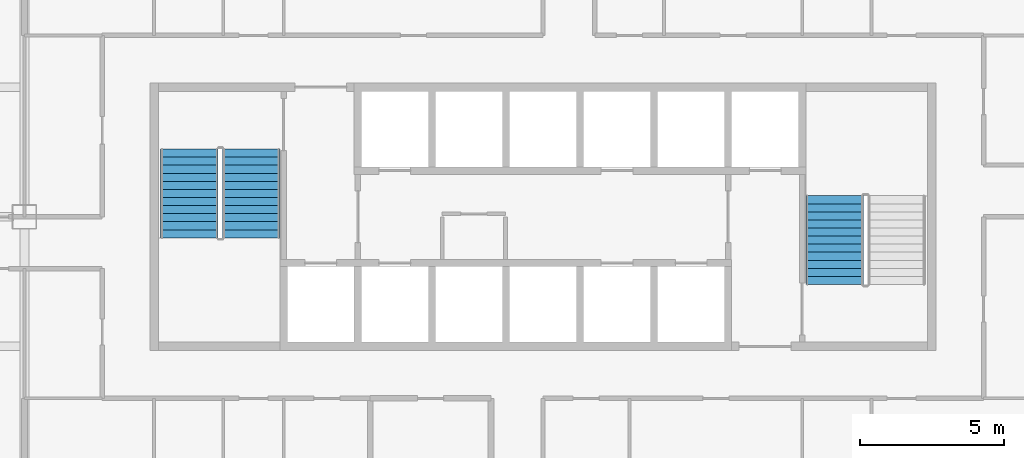
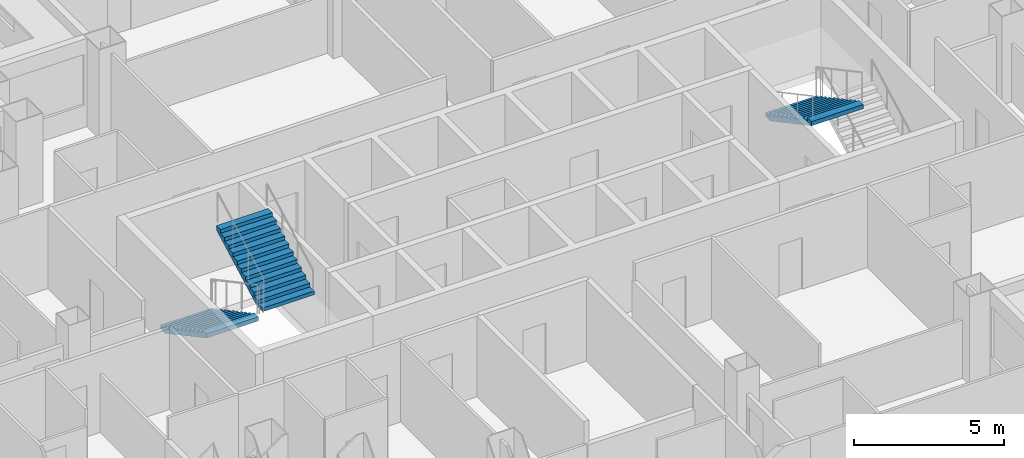
# One storey, part 10 of 14: 3 stair flights, 2 elements without a shape of their own.
"""IFC4 building model written with IfcOpenShell, lengths in metres."""

import ifcopenshell
import ifcopenshell.guid

model = None  # the IFC model being written
_history = None  # IfcOwnerHistory: only IFC2X3 demands one
_inside = {}  # id of a spatial element -> (the spatial element, [elements in it])
_under = {}  # id of a project, library or spatial element -> (it, [spatial elements below it])
_declared = {}  # id of a project -> (the project, [libraries it declares])
_typed = {}  # id of a type object -> (the type object, [elements of that type])
_made_of = {}  # id of a material, layer set ... -> (it, [elements and type objects made of it])


def new_model(schema):
    """Start an empty IFC model of exactly this schema.

    Asked for "IFC4X3", IfcOpenShell would pick the latest addendum, in which some entities
    have other attributes; the version numbers below select the first issue.
    IFC2X3 requires an IfcOwnerHistory on every rooted entity: one is made here for all.
    """
    global model, _history
    if schema == "IFC4X3":
        model = ifcopenshell.file(schema_version=(4, 3, 0, 0))
    else:
        model = ifcopenshell.file(schema=schema)
    _inside.clear()
    _under.clear()
    _declared.clear()
    _typed.clear()
    _made_of.clear()
    _history = None
    if model.schema == "IFC2X3":
        org = make("IfcOrganization", Name="unknown")
        user = make(
            "IfcPersonAndOrganization",
            ThePerson=make("IfcPerson", FamilyName="unknown"),
            TheOrganization=org,
        )
        app = make(
            "IfcApplication",
            ApplicationDeveloper=org,
            Version="unknown",
            ApplicationFullName="unknown",
            ApplicationIdentifier="unknown",
        )
        _history = make(
            "IfcOwnerHistory",
            OwningUser=user,
            OwningApplication=app,
            ChangeAction="ADDED",
            CreationDate=0,
        )
    return model


def make(cls, **values):
    """One entity of the class cls with the attributes given. An attribute that is None is left unset."""
    return model.create_entity(
        cls, **{name: value for name, value in values.items() if value is not None}
    )


def rooted(cls, **values):
    """An entity with a GlobalId (a new one), such as an element, a storey or a relation."""
    return make(cls, GlobalId=ifcopenshell.guid.new(), OwnerHistory=_history, **values)


def si_unit(unit_type, name, prefix=None):
    """IfcSIUnit, for example si_unit("LENGTHUNIT", "METRE", prefix="MILLI")."""
    return make("IfcSIUnit", UnitType=unit_type, Prefix=prefix, Name=name)


def assignment(units):
    """IfcUnitAssignment: the units of a project."""
    return None if units is None else make("IfcUnitAssignment", Units=units)


def point(xyz):
    """IfcCartesianPoint."""
    return None if xyz is None else make("IfcCartesianPoint", Coordinates=xyz)


def direction(xyz):
    """IfcDirection."""
    return None if xyz is None else make("IfcDirection", DirectionRatios=xyz)


def frame(location, z_axis=None, x_axis=None):
    """IfcAxis2Placement3D, a coordinate frame: its origin and axes. An axis left out is left unset."""
    return make(
        "IfcAxis2Placement3D",
        Location=point(location),
        Axis=direction(z_axis),
        RefDirection=direction(x_axis),
    )


def origin():
    """The frame at (0, 0, 0) with its axes left unset."""
    return frame((0.0, 0.0, 0.0))


def place(relative_to, where):
    """IfcLocalPlacement: puts the frame where relative to a parent placement (None: the world)."""
    return make(
        "IfcLocalPlacement", PlacementRelTo=relative_to, RelativePlacement=where
    )


def context(
    kind, dimensions, precision=None, world=None, true_north=None, identifier=None
):
    """IfcGeometricRepresentationContext, for example the 3D "Model" context."""
    return make(
        "IfcGeometricRepresentationContext",
        ContextIdentifier=identifier,
        ContextType=kind,
        CoordinateSpaceDimension=dimensions,
        Precision=precision,
        WorldCoordinateSystem=world,
        TrueNorth=true_north,
    )


def subcontext(parent, identifier, kind, view, scale=None):
    """IfcGeometricRepresentationSubContext, for example "Body" below "Model"."""
    return make(
        "IfcGeometricRepresentationSubContext",
        ContextIdentifier=identifier,
        ContextType=kind,
        ParentContext=parent,
        TargetScale=scale,
        TargetView=view,
    )


def project(units=None, contexts=None):
    """IfcProject with its units and contexts."""
    return rooted(
        "IfcProject",
        Name="project",
        RepresentationContexts=contexts,
        UnitsInContext=assignment(units),
    )


def spatial(cls, under=None, at=None, **own):
    """A site, building, storey or space (cls), placed at a placement, below another one or the project."""
    s = rooted(cls, ObjectPlacement=at, **own)
    if under is not None:
        _under.setdefault(under.id(), (under, []))[1].append(s)
    return s


def point_list(points):
    """IfcCartesianPointList2D or 3D."""
    cls = (
        "IfcCartesianPointList2D" if len(points[0]) == 2 else "IfcCartesianPointList3D"
    )
    return make(cls, CoordList=points)


def polygons(points, faces, closed=None, point_numbers=None):
    """IfcPolygonalFaceSet: a face is its outer loop, then its inner loops; points numbered from 1."""
    made = []
    for loops in faces:
        if len(loops) == 1:
            made.append(make("IfcIndexedPolygonalFace", CoordIndex=loops[0]))
        else:
            made.append(
                make(
                    "IfcIndexedPolygonalFaceWithVoids",
                    CoordIndex=loops[0],
                    InnerCoordIndices=loops[1:],
                )
            )
    return make(
        "IfcPolygonalFaceSet",
        Coordinates=point_list(points),
        Closed=closed,
        Faces=made,
        PnIndex=point_numbers,
    )


def shape(context_of_items, identifier, shape_type, items):
    """IfcShapeRepresentation: the items that make up one representation, for example the "Body"."""
    return make(
        "IfcShapeRepresentation",
        ContextOfItems=context_of_items,
        RepresentationIdentifier=identifier,
        RepresentationType=shape_type,
        Items=items,
    )


def material(Name=None, Category=None):
    """IfcMaterial."""
    return make("IfcMaterial", Name=Name, Category=Category)


def made_of(thing, what):
    """Note that an element or type object is made of a material, layer set ...; save() writes the relation."""
    if what is not None:
        _made_of.setdefault(what.id(), (what, []))[1].append(thing)
    return thing


def type_object(cls, material=None, **own):
    """A type object (cls), such as IfcWallType, which elements share."""
    return made_of(rooted(cls, **own), material)


def element(
    cls,
    number,
    at=None,
    inside=None,
    cuts=None,
    type_object=None,
    material=None,
    context=None,
    identifier="Body",
    shape_type=None,
    held_by="IfcProductDefinitionShape",
    body=None,
    shapes=None,
    **own,
):
    """One element of the class cls, such as IfcWall. Its Tag is "e" and its number.

    at: its placement. inside: the storey or other place that contains it. cuts: it is an
    opening in that element (IfcRelVoidsElement). A single representation is given by context,
    identifier, shape_type and body (its items); several are given by shapes. held_by: the class
    of the entity that holds the representations. save() writes the other relations.
    """
    e = rooted(cls, Tag="e%d" % number, ObjectPlacement=at, **own)
    if body is not None:
        shapes = [shape(context, identifier, shape_type, body)]
    if shapes is not None:
        e.Representation = make(held_by, Representations=shapes)
    if inside is not None:
        _inside.setdefault(inside.id(), (inside, []))[1].append(e)
    if cuts is not None:
        rooted(
            "IfcRelVoidsElement", RelatingBuildingElement=cuts, RelatedOpeningElement=e
        )
    if type_object is not None:
        _typed.setdefault(type_object.id(), (type_object, []))[1].append(e)
    return made_of(e, material)


def aggregate(whole, parts):
    """IfcRelAggregates: a whole, such as a stair, and the parts it consists of."""
    return rooted("IfcRelAggregates", RelatingObject=whole, RelatedObjects=parts)


def save(model, path):
    """Write the relations noted so far, then the file.

    IfcRelAggregates (storeys below a building ...), IfcRelContainedInSpatialStructure (elements
    in a storey), IfcRelDefinesByType, IfcRelAssociatesMaterial and IfcRelDeclares: one each for
    every whole, place, type object, material and project.
    """
    for whole, parts in _under.values():
        aggregate(whole, parts)
    for where, things in _inside.values():
        rooted(
            "IfcRelContainedInSpatialStructure",
            RelatedElements=things,
            RelatingStructure=where,
        )
    for kind, things in _typed.values():
        rooted("IfcRelDefinesByType", RelatedObjects=things, RelatingType=kind)
    for what, things in _made_of.values():
        rooted("IfcRelAssociatesMaterial", RelatedObjects=things, RelatingMaterial=what)
    for by, libraries in _declared.values():
        rooted("IfcRelDeclares", RelatingContext=by, RelatedDefinitions=libraries)
    model.write(path)


model = new_model("IFC4")

# Units and contexts
model_context = context("Model", 3, precision=1e-05, world=origin(), true_north=direction((0.0, 1.0)))
body_context = subcontext(model_context, "Body", "Model", "MODEL_VIEW")
ifc_project = project(units=[si_unit("LENGTHUNIT", "METRE"), si_unit("AREAUNIT", "SQUARE_METRE"), si_unit("VOLUMEUNIT", "CUBIC_METRE"), si_unit("PLANEANGLEUNIT", "RADIAN"), si_unit("MASSUNIT", "GRAM", prefix="KILO")], contexts=[model_context])

# Site, building, storey
site_placement = place(None, origin())
site = spatial("IfcSite", under=ifc_project, at=site_placement, CompositionType="ELEMENT")
building_placement = place(site_placement, origin())
building = spatial("IfcBuilding", under=site, at=building_placement, Name="Caravel Reach Hotel and Residences", CompositionType="ELEMENT")
storey_placement = place(building_placement, frame((0.0, 0.0, 40.800048828125)))
storey = spatial("IfcBuildingStorey", under=building, at=storey_placement, Name="L08", CompositionType="ELEMENT", Elevation=40.800048828125)

# Stair, stair flights
ifc_material_1 = material(Name="Concrete C40", Category="concrete")
stair_type = type_object("IfcStairType", Name="Core stair", PredefinedType="HALF_TURN_STAIR", material=ifc_material_1)
stair_1_placement = place(storey_placement, origin())
stair_1 = element("IfcStair", 1, at=stair_1_placement, inside=storey, type_object=stair_type, Name="L08 Exit stair A", PredefinedType="HALF_TURN_STAIR")
ifc_material_2 = material(Name="Concrete C40", Category="concrete")
stair_flight_type = type_object("IfcStairFlightType", Name="Core stair flight", PredefinedType="STRAIGHT", material=ifc_material_2)
stair_flight_1_placement = place(storey_placement, frame((19.22509765625, 29.35009765625, 0.0), z_axis=(0.0, 0.0, 1.0), x_axis=(0.0, -1.0, 0.0)))
stair_flight_1 = element("IfcStairFlight", 2, at=stair_flight_1_placement, type_object=stair_flight_type, Name="ST-A flight 1", NumberOfRisers=12, NumberOfTreads=11, PredefinedType="STRAIGHT", RiserHeight=0.15, TreadLength=0.28, context=body_context, shape_type="Tessellation", body=[
    polygons([(0.3174408016601862, 1.0, 0.0), (0.3174408016601862, 0.6666666666666667, 0.0), (0.3174408016601862, 0.33333333333333337, 0.0), (0.3174408016601862, 0.0, 0.0), (0.3174408016601862, -0.33333333333333326, 0.0), (0.3174408016601862, -0.6666666666666667, 0.0), (0.3174408016601862, -1.0, 0.0), (3.081, 1.0, 1.479942427682043), (3.081, 0.6666666666666667, 1.479942427682043), (3.081, 0.33333333333333337, 1.479942427682043), (3.081, 0.0, 1.479942427682043), (3.081, -0.33333333333333326, 1.479942427682043), (3.081, -0.6666666666666667, 1.479942427682043), (3.081, -1.0, 1.479942427682043), (3.081, 1.0, 1.65), (3.081, 0.6666666666666667, 1.65), (3.081, 0.33333333333333337, 1.65), (3.081, 0.0, 1.65), (3.081, -0.33333333333333326, 1.65), (3.081, -0.6666666666666667, 1.65), (3.081, -1.0, 1.65), (2.8000000000000003, 1.0, 1.65), (2.8000000000000003, 0.6666666666666667, 1.65), (2.8000000000000003, 0.33333333333333337, 1.65), (2.8000000000000003, 0.0, 1.65), (2.8000000000000003, -0.33333333333333326, 1.65), (2.8000000000000003, -0.6666666666666667, 1.65), (2.8000000000000003, -1.0, 1.65), (2.8000000000000003, 1.0, 1.5), (2.8000000000000003, 0.6666666666666667, 1.5), (2.8000000000000003, 0.33333333333333337, 1.5), (2.8000000000000003, 0.0, 1.5), (2.8000000000000003, -0.33333333333333326, 1.5), (2.8000000000000003, -0.6666666666666667, 1.5), (2.8000000000000003, -1.0, 1.5), (2.5200000000000005, 1.0, 1.5), (2.5200000000000005, 0.6666666666666667, 1.5), (2.5200000000000005, 0.33333333333333337, 1.5), (2.5200000000000005, 0.0, 1.5), (2.5200000000000005, -0.33333333333333326, 1.5), (2.5200000000000005, -0.6666666666666667, 1.5), (2.5200000000000005, -1.0, 1.5), (2.5200000000000005, 1.0, 1.3499999999999999), (2.5200000000000005, 0.6666666666666667, 1.3499999999999999), (2.5200000000000005, 0.33333333333333337, 1.3499999999999999), (2.5200000000000005, 0.0, 1.3499999999999999), (2.5200000000000005, -0.33333333333333326, 1.3499999999999999), (2.5200000000000005, -0.6666666666666667, 1.3499999999999999), (2.5200000000000005, -1.0, 1.3499999999999999), (2.24, 1.0, 1.3499999999999999), (2.24, 0.6666666666666667, 1.3499999999999999), (2.24, 0.33333333333333337, 1.3499999999999999), (2.24, 0.0, 1.3499999999999999), (2.24, -0.33333333333333326, 1.3499999999999999), (2.24, -0.6666666666666667, 1.3499999999999999), (2.24, -1.0, 1.3499999999999999), (2.24, 1.0, 1.2), (2.24, 0.6666666666666667, 1.2), (2.24, 0.33333333333333337, 1.2), (2.24, 0.0, 1.2), (2.24, -0.33333333333333326, 1.2), (2.24, -0.6666666666666667, 1.2), (2.24, -1.0, 1.2), (1.9600000000000002, 1.0, 1.2), (1.9600000000000002, 0.6666666666666667, 1.2), (1.9600000000000002, 0.33333333333333337, 1.2), (1.9600000000000002, 0.0, 1.2), (1.9600000000000002, -0.33333333333333326, 1.2), (1.9600000000000002, -0.6666666666666667, 1.2), (1.9600000000000002, -1.0, 1.2), (1.9600000000000002, 1.0, 1.05), (1.9600000000000002, 0.6666666666666667, 1.05), (1.9600000000000002, 0.33333333333333337, 1.05), (1.9600000000000002, 0.0, 1.05), (1.9600000000000002, -0.33333333333333326, 1.05), (1.9600000000000002, -0.6666666666666667, 1.05), (1.9600000000000002, -1.0, 1.05), (1.6800000000000002, 1.0, 1.05), (1.6800000000000002, 0.6666666666666667, 1.05), (1.6800000000000002, 0.33333333333333337, 1.05), (1.6800000000000002, 0.0, 1.05), (1.6800000000000002, -0.33333333333333326, 1.05), (1.6800000000000002, -0.6666666666666667, 1.05), (1.6800000000000002, -1.0, 1.05), (1.6800000000000002, 1.0, 0.8999999999999999), (1.6800000000000002, 0.6666666666666667, 0.8999999999999999), (1.6800000000000002, 0.33333333333333337, 0.8999999999999999), (1.6800000000000002, 0.0, 0.8999999999999999), (1.6800000000000002, -0.33333333333333326, 0.8999999999999999), (1.6800000000000002, -0.6666666666666667, 0.8999999999999999), (1.6800000000000002, -1.0, 0.8999999999999999), (1.4000000000000001, 1.0, 0.8999999999999999), (1.4000000000000001, 0.6666666666666667, 0.8999999999999999), (1.4000000000000001, 0.33333333333333337, 0.8999999999999999), (1.4000000000000001, 0.0, 0.8999999999999999), (1.4000000000000001, -0.33333333333333326, 0.8999999999999999), (1.4000000000000001, -0.6666666666666667, 0.8999999999999999), (1.4000000000000001, -1.0, 0.8999999999999999), (1.4000000000000001, 1.0, 0.75), (1.4000000000000001, 0.6666666666666667, 0.75), (1.4000000000000001, 0.33333333333333337, 0.75), (1.4000000000000001, 0.0, 0.75), (1.4000000000000001, -0.33333333333333326, 0.75), (1.4000000000000001, -0.6666666666666667, 0.75), (1.4000000000000001, -1.0, 0.75), (1.12, 1.0, 0.75), (1.12, 0.6666666666666667, 0.75), (1.12, 0.33333333333333337, 0.75), (1.12, 0.0, 0.75), (1.12, -0.33333333333333326, 0.75), (1.12, -0.6666666666666667, 0.75), (1.12, -1.0, 0.75), (1.12, 1.0, 0.6), (1.12, 0.6666666666666667, 0.6), (1.12, 0.33333333333333337, 0.6), (1.12, 0.0, 0.6), (1.12, -0.33333333333333326, 0.6), (1.12, -0.6666666666666667, 0.6), (1.12, -1.0, 0.6), (0.8400000000000001, 1.0, 0.6), (0.8400000000000001, 0.6666666666666667, 0.6), (0.8400000000000001, 0.33333333333333337, 0.6), (0.8400000000000001, 0.0, 0.6), (0.8400000000000001, -0.33333333333333326, 0.6), (0.8400000000000001, -0.6666666666666667, 0.6), (0.8400000000000001, -1.0, 0.6), (0.8400000000000001, 1.0, 0.44999999999999996), (0.8400000000000001, 0.6666666666666667, 0.44999999999999996), (0.8400000000000001, 0.33333333333333337, 0.44999999999999996), (0.8400000000000001, 0.0, 0.44999999999999996), (0.8400000000000001, -0.33333333333333326, 0.44999999999999996), (0.8400000000000001, -0.6666666666666667, 0.44999999999999996), (0.8400000000000001, -1.0, 0.44999999999999996), (0.56, 1.0, 0.44999999999999996), (0.56, 0.6666666666666667, 0.44999999999999996), (0.56, 0.33333333333333337, 0.44999999999999996), (0.56, 0.0, 0.44999999999999996), (0.56, -0.33333333333333326, 0.44999999999999996), (0.56, -0.6666666666666667, 0.44999999999999996), (0.56, -1.0, 0.44999999999999996), (0.56, 1.0, 0.3), (0.56, 0.6666666666666667, 0.3), (0.56, 0.33333333333333337, 0.3), (0.56, 0.0, 0.3), (0.56, -0.33333333333333326, 0.3), (0.56, -0.6666666666666667, 0.3), (0.56, -1.0, 0.3), (0.28, 1.0, 0.3), (0.28, 0.6666666666666667, 0.3), (0.28, 0.33333333333333337, 0.3), (0.28, 0.0, 0.3), (0.28, -0.33333333333333326, 0.3), (0.28, -0.6666666666666667, 0.3), (0.28, -1.0, 0.3), (0.28, 1.0, 0.15), (0.28, 0.6666666666666667, 0.15), (0.28, 0.33333333333333337, 0.15), (0.28, 0.0, 0.15), (0.28, -0.33333333333333326, 0.15), (0.28, -0.6666666666666667, 0.15), (0.28, -1.0, 0.15), (-0.001, 1.0, 0.15), (-0.001, 0.6666666666666667, 0.15), (-0.001, 0.33333333333333337, 0.15), (-0.001, 0.0, 0.15), (-0.001, -0.33333333333333326, 0.15), (-0.001, -0.6666666666666667, 0.15), (-0.001, -1.0, 0.15), (-0.001, 1.0, 0.0), (-0.001, 0.6666666666666667, 0.0), (-0.001, 0.33333333333333337, 0.0), (-0.001, 0.0, 0.0), (-0.001, -0.33333333333333326, 0.0), (-0.001, -0.6666666666666667, 0.0), (-0.001, -1.0, 0.0)], [[[169, 162, 155, 148, 141, 134, 127, 120, 113, 106, 99, 92, 85, 78, 71, 64, 57, 50, 43, 36, 29, 22, 15, 8, 1]], [[7, 14, 21, 28, 35, 42, 49, 56, 63, 70, 77, 84, 91, 98, 105, 112, 119, 126, 133, 140, 147, 154, 161, 168, 175]], [[1, 8, 9, 2]], [[2, 9, 10, 3]], [[3, 10, 11, 4]], [[4, 11, 12, 5]], [[5, 12, 13, 6]], [[6, 13, 14, 7]], [[8, 15, 16, 9]], [[9, 16, 17, 10]], [[10, 17, 18, 11]], [[11, 18, 19, 12]], [[12, 19, 20, 13]], [[13, 20, 21, 14]], [[15, 22, 23, 16]], [[16, 23, 24, 17]], [[17, 24, 25, 18]], [[18, 25, 26, 19]], [[19, 26, 27, 20]], [[20, 27, 28, 21]], [[22, 29, 30, 23]], [[23, 30, 31, 24]], [[24, 31, 32, 25]], [[25, 32, 33, 26]], [[26, 33, 34, 27]], [[27, 34, 35, 28]], [[29, 36, 37, 30]], [[30, 37, 38, 31]], [[31, 38, 39, 32]], [[32, 39, 40, 33]], [[33, 40, 41, 34]], [[34, 41, 42, 35]], [[36, 43, 44, 37]], [[37, 44, 45, 38]], [[38, 45, 46, 39]], [[39, 46, 47, 40]], [[40, 47, 48, 41]], [[41, 48, 49, 42]], [[43, 50, 51, 44]], [[44, 51, 52, 45]], [[45, 52, 53, 46]], [[46, 53, 54, 47]], [[47, 54, 55, 48]], [[48, 55, 56, 49]], [[50, 57, 58, 51]], [[51, 58, 59, 52]], [[52, 59, 60, 53]], [[53, 60, 61, 54]], [[54, 61, 62, 55]], [[55, 62, 63, 56]], [[57, 64, 65, 58]], [[58, 65, 66, 59]], [[59, 66, 67, 60]], [[60, 67, 68, 61]], [[61, 68, 69, 62]], [[62, 69, 70, 63]], [[64, 71, 72, 65]], [[65, 72, 73, 66]], [[66, 73, 74, 67]], [[67, 74, 75, 68]], [[68, 75, 76, 69]], [[69, 76, 77, 70]], [[71, 78, 79, 72]], [[72, 79, 80, 73]], [[73, 80, 81, 74]], [[74, 81, 82, 75]], [[75, 82, 83, 76]], [[76, 83, 84, 77]], [[78, 85, 86, 79]], [[79, 86, 87, 80]], [[80, 87, 88, 81]], [[81, 88, 89, 82]], [[82, 89, 90, 83]], [[83, 90, 91, 84]], [[85, 92, 93, 86]], [[86, 93, 94, 87]], [[87, 94, 95, 88]], [[88, 95, 96, 89]], [[89, 96, 97, 90]], [[90, 97, 98, 91]], [[92, 99, 100, 93]], [[93, 100, 101, 94]], [[94, 101, 102, 95]], [[95, 102, 103, 96]], [[96, 103, 104, 97]], [[97, 104, 105, 98]], [[99, 106, 107, 100]], [[100, 107, 108, 101]], [[101, 108, 109, 102]], [[102, 109, 110, 103]], [[103, 110, 111, 104]], [[104, 111, 112, 105]], [[106, 113, 114, 107]], [[107, 114, 115, 108]], [[108, 115, 116, 109]], [[109, 116, 117, 110]], [[110, 117, 118, 111]], [[111, 118, 119, 112]], [[113, 120, 121, 114]], [[114, 121, 122, 115]], [[115, 122, 123, 116]], [[116, 123, 124, 117]], [[117, 124, 125, 118]], [[118, 125, 126, 119]], [[120, 127, 128, 121]], [[121, 128, 129, 122]], [[122, 129, 130, 123]], [[123, 130, 131, 124]], [[124, 131, 132, 125]], [[125, 132, 133, 126]], [[127, 134, 135, 128]], [[128, 135, 136, 129]], [[129, 136, 137, 130]], [[130, 137, 138, 131]], [[131, 138, 139, 132]], [[132, 139, 140, 133]], [[134, 141, 142, 135]], [[135, 142, 143, 136]], [[136, 143, 144, 137]], [[137, 144, 145, 138]], [[138, 145, 146, 139]], [[139, 146, 147, 140]], [[141, 148, 149, 142]], [[142, 149, 150, 143]], [[143, 150, 151, 144]], [[144, 151, 152, 145]], [[145, 152, 153, 146]], [[146, 153, 154, 147]], [[148, 155, 156, 149]], [[149, 156, 157, 150]], [[150, 157, 158, 151]], [[151, 158, 159, 152]], [[152, 159, 160, 153]], [[153, 160, 161, 154]], [[155, 162, 163, 156]], [[156, 163, 164, 157]], [[157, 164, 165, 158]], [[158, 165, 166, 159]], [[159, 166, 167, 160]], [[160, 167, 168, 161]], [[162, 169, 170, 163]], [[163, 170, 171, 164]], [[164, 171, 172, 165]], [[165, 172, 173, 166]], [[166, 173, 174, 167]], [[167, 174, 175, 168]], [[169, 1, 2, 170]], [[170, 2, 3, 171]], [[171, 3, 4, 172]], [[172, 4, 5, 173]], [[173, 5, 6, 174]], [[174, 6, 7, 175]]], closed=True),
])
stair_flight_2_placement = place(storey_placement, frame((21.375, 26.27001953125, 1.800048828125), z_axis=(0.0, 0.0, 1.0), x_axis=(0.0, 1.0, 0.0)))
stair_flight_2 = element("IfcStairFlight", 3, at=stair_flight_2_placement, type_object=stair_flight_type, Name="ST-A flight 2", NumberOfRisers=12, NumberOfTreads=11, PredefinedType="STRAIGHT", RiserHeight=0.15, TreadLength=0.28, context=body_context, shape_type="Tessellation", body=[
    polygons([(0.3174408016601862, 1.0, 0.0), (0.3174408016601862, 0.6666666666666667, 0.0), (0.3174408016601862, 0.33333333333333337, 0.0), (0.3174408016601862, 0.0, 0.0), (0.3174408016601862, -0.33333333333333326, 0.0), (0.3174408016601862, -0.6666666666666667, 0.0), (0.3174408016601862, -1.0, 0.0), (3.081, 1.0, 1.479942427682043), (3.081, 0.6666666666666667, 1.479942427682043), (3.081, 0.33333333333333337, 1.479942427682043), (3.081, 0.0, 1.479942427682043), (3.081, -0.33333333333333326, 1.479942427682043), (3.081, -0.6666666666666667, 1.479942427682043), (3.081, -1.0, 1.479942427682043), (3.081, 1.0, 1.65), (3.081, 0.6666666666666667, 1.65), (3.081, 0.33333333333333337, 1.65), (3.081, 0.0, 1.65), (3.081, -0.33333333333333326, 1.65), (3.081, -0.6666666666666667, 1.65), (3.081, -1.0, 1.65), (2.8000000000000003, 1.0, 1.65), (2.8000000000000003, 0.6666666666666667, 1.65), (2.8000000000000003, 0.33333333333333337, 1.65), (2.8000000000000003, 0.0, 1.65), (2.8000000000000003, -0.33333333333333326, 1.65), (2.8000000000000003, -0.6666666666666667, 1.65), (2.8000000000000003, -1.0, 1.65), (2.8000000000000003, 1.0, 1.5), (2.8000000000000003, 0.6666666666666667, 1.5), (2.8000000000000003, 0.33333333333333337, 1.5), (2.8000000000000003, 0.0, 1.5), (2.8000000000000003, -0.33333333333333326, 1.5), (2.8000000000000003, -0.6666666666666667, 1.5), (2.8000000000000003, -1.0, 1.5), (2.5200000000000005, 1.0, 1.5), (2.5200000000000005, 0.6666666666666667, 1.5), (2.5200000000000005, 0.33333333333333337, 1.5), (2.5200000000000005, 0.0, 1.5), (2.5200000000000005, -0.33333333333333326, 1.5), (2.5200000000000005, -0.6666666666666667, 1.5), (2.5200000000000005, -1.0, 1.5), (2.5200000000000005, 1.0, 1.3499999999999999), (2.5200000000000005, 0.6666666666666667, 1.3499999999999999), (2.5200000000000005, 0.33333333333333337, 1.3499999999999999), (2.5200000000000005, 0.0, 1.3499999999999999), (2.5200000000000005, -0.33333333333333326, 1.3499999999999999), (2.5200000000000005, -0.6666666666666667, 1.3499999999999999), (2.5200000000000005, -1.0, 1.3499999999999999), (2.24, 1.0, 1.3499999999999999), (2.24, 0.6666666666666667, 1.3499999999999999), (2.24, 0.33333333333333337, 1.3499999999999999), (2.24, 0.0, 1.3499999999999999), (2.24, -0.33333333333333326, 1.3499999999999999), (2.24, -0.6666666666666667, 1.3499999999999999), (2.24, -1.0, 1.3499999999999999), (2.24, 1.0, 1.2), (2.24, 0.6666666666666667, 1.2), (2.24, 0.33333333333333337, 1.2), (2.24, 0.0, 1.2), (2.24, -0.33333333333333326, 1.2), (2.24, -0.6666666666666667, 1.2), (2.24, -1.0, 1.2), (1.9600000000000002, 1.0, 1.2), (1.9600000000000002, 0.6666666666666667, 1.2), (1.9600000000000002, 0.33333333333333337, 1.2), (1.9600000000000002, 0.0, 1.2), (1.9600000000000002, -0.33333333333333326, 1.2), (1.9600000000000002, -0.6666666666666667, 1.2), (1.9600000000000002, -1.0, 1.2), (1.9600000000000002, 1.0, 1.05), (1.9600000000000002, 0.6666666666666667, 1.05), (1.9600000000000002, 0.33333333333333337, 1.05), (1.9600000000000002, 0.0, 1.05), (1.9600000000000002, -0.33333333333333326, 1.05), (1.9600000000000002, -0.6666666666666667, 1.05), (1.9600000000000002, -1.0, 1.05), (1.6800000000000002, 1.0, 1.05), (1.6800000000000002, 0.6666666666666667, 1.05), (1.6800000000000002, 0.33333333333333337, 1.05), (1.6800000000000002, 0.0, 1.05), (1.6800000000000002, -0.33333333333333326, 1.05), (1.6800000000000002, -0.6666666666666667, 1.05), (1.6800000000000002, -1.0, 1.05), (1.6800000000000002, 1.0, 0.8999999999999999), (1.6800000000000002, 0.6666666666666667, 0.8999999999999999), (1.6800000000000002, 0.33333333333333337, 0.8999999999999999), (1.6800000000000002, 0.0, 0.8999999999999999), (1.6800000000000002, -0.33333333333333326, 0.8999999999999999), (1.6800000000000002, -0.6666666666666667, 0.8999999999999999), (1.6800000000000002, -1.0, 0.8999999999999999), (1.4000000000000001, 1.0, 0.8999999999999999), (1.4000000000000001, 0.6666666666666667, 0.8999999999999999), (1.4000000000000001, 0.33333333333333337, 0.8999999999999999), (1.4000000000000001, 0.0, 0.8999999999999999), (1.4000000000000001, -0.33333333333333326, 0.8999999999999999), (1.4000000000000001, -0.6666666666666667, 0.8999999999999999), (1.4000000000000001, -1.0, 0.8999999999999999), (1.4000000000000001, 1.0, 0.75), (1.4000000000000001, 0.6666666666666667, 0.75), (1.4000000000000001, 0.33333333333333337, 0.75), (1.4000000000000001, 0.0, 0.75), (1.4000000000000001, -0.33333333333333326, 0.75), (1.4000000000000001, -0.6666666666666667, 0.75), (1.4000000000000001, -1.0, 0.75), (1.12, 1.0, 0.75), (1.12, 0.6666666666666667, 0.75), (1.12, 0.33333333333333337, 0.75), (1.12, 0.0, 0.75), (1.12, -0.33333333333333326, 0.75), (1.12, -0.6666666666666667, 0.75), (1.12, -1.0, 0.75), (1.12, 1.0, 0.6), (1.12, 0.6666666666666667, 0.6), (1.12, 0.33333333333333337, 0.6), (1.12, 0.0, 0.6), (1.12, -0.33333333333333326, 0.6), (1.12, -0.6666666666666667, 0.6), (1.12, -1.0, 0.6), (0.8400000000000001, 1.0, 0.6), (0.8400000000000001, 0.6666666666666667, 0.6), (0.8400000000000001, 0.33333333333333337, 0.6), (0.8400000000000001, 0.0, 0.6), (0.8400000000000001, -0.33333333333333326, 0.6), (0.8400000000000001, -0.6666666666666667, 0.6), (0.8400000000000001, -1.0, 0.6), (0.8400000000000001, 1.0, 0.44999999999999996), (0.8400000000000001, 0.6666666666666667, 0.44999999999999996), (0.8400000000000001, 0.33333333333333337, 0.44999999999999996), (0.8400000000000001, 0.0, 0.44999999999999996), (0.8400000000000001, -0.33333333333333326, 0.44999999999999996), (0.8400000000000001, -0.6666666666666667, 0.44999999999999996), (0.8400000000000001, -1.0, 0.44999999999999996), (0.56, 1.0, 0.44999999999999996), (0.56, 0.6666666666666667, 0.44999999999999996), (0.56, 0.33333333333333337, 0.44999999999999996), (0.56, 0.0, 0.44999999999999996), (0.56, -0.33333333333333326, 0.44999999999999996), (0.56, -0.6666666666666667, 0.44999999999999996), (0.56, -1.0, 0.44999999999999996), (0.56, 1.0, 0.3), (0.56, 0.6666666666666667, 0.3), (0.56, 0.33333333333333337, 0.3), (0.56, 0.0, 0.3), (0.56, -0.33333333333333326, 0.3), (0.56, -0.6666666666666667, 0.3), (0.56, -1.0, 0.3), (0.28, 1.0, 0.3), (0.28, 0.6666666666666667, 0.3), (0.28, 0.33333333333333337, 0.3), (0.28, 0.0, 0.3), (0.28, -0.33333333333333326, 0.3), (0.28, -0.6666666666666667, 0.3), (0.28, -1.0, 0.3), (0.28, 1.0, 0.15), (0.28, 0.6666666666666667, 0.15), (0.28, 0.33333333333333337, 0.15), (0.28, 0.0, 0.15), (0.28, -0.33333333333333326, 0.15), (0.28, -0.6666666666666667, 0.15), (0.28, -1.0, 0.15), (-0.001, 1.0, 0.15), (-0.001, 0.6666666666666667, 0.15), (-0.001, 0.33333333333333337, 0.15), (-0.001, 0.0, 0.15), (-0.001, -0.33333333333333326, 0.15), (-0.001, -0.6666666666666667, 0.15), (-0.001, -1.0, 0.15), (-0.001, 1.0, 0.0), (-0.001, 0.6666666666666667, 0.0), (-0.001, 0.33333333333333337, 0.0), (-0.001, 0.0, 0.0), (-0.001, -0.33333333333333326, 0.0), (-0.001, -0.6666666666666667, 0.0), (-0.001, -1.0, 0.0)], [[[169, 162, 155, 148, 141, 134, 127, 120, 113, 106, 99, 92, 85, 78, 71, 64, 57, 50, 43, 36, 29, 22, 15, 8, 1]], [[7, 14, 21, 28, 35, 42, 49, 56, 63, 70, 77, 84, 91, 98, 105, 112, 119, 126, 133, 140, 147, 154, 161, 168, 175]], [[1, 8, 9, 2]], [[2, 9, 10, 3]], [[3, 10, 11, 4]], [[4, 11, 12, 5]], [[5, 12, 13, 6]], [[6, 13, 14, 7]], [[8, 15, 16, 9]], [[9, 16, 17, 10]], [[10, 17, 18, 11]], [[11, 18, 19, 12]], [[12, 19, 20, 13]], [[13, 20, 21, 14]], [[15, 22, 23, 16]], [[16, 23, 24, 17]], [[17, 24, 25, 18]], [[18, 25, 26, 19]], [[19, 26, 27, 20]], [[20, 27, 28, 21]], [[22, 29, 30, 23]], [[23, 30, 31, 24]], [[24, 31, 32, 25]], [[25, 32, 33, 26]], [[26, 33, 34, 27]], [[27, 34, 35, 28]], [[29, 36, 37, 30]], [[30, 37, 38, 31]], [[31, 38, 39, 32]], [[32, 39, 40, 33]], [[33, 40, 41, 34]], [[34, 41, 42, 35]], [[36, 43, 44, 37]], [[37, 44, 45, 38]], [[38, 45, 46, 39]], [[39, 46, 47, 40]], [[40, 47, 48, 41]], [[41, 48, 49, 42]], [[43, 50, 51, 44]], [[44, 51, 52, 45]], [[45, 52, 53, 46]], [[46, 53, 54, 47]], [[47, 54, 55, 48]], [[48, 55, 56, 49]], [[50, 57, 58, 51]], [[51, 58, 59, 52]], [[52, 59, 60, 53]], [[53, 60, 61, 54]], [[54, 61, 62, 55]], [[55, 62, 63, 56]], [[57, 64, 65, 58]], [[58, 65, 66, 59]], [[59, 66, 67, 60]], [[60, 67, 68, 61]], [[61, 68, 69, 62]], [[62, 69, 70, 63]], [[64, 71, 72, 65]], [[65, 72, 73, 66]], [[66, 73, 74, 67]], [[67, 74, 75, 68]], [[68, 75, 76, 69]], [[69, 76, 77, 70]], [[71, 78, 79, 72]], [[72, 79, 80, 73]], [[73, 80, 81, 74]], [[74, 81, 82, 75]], [[75, 82, 83, 76]], [[76, 83, 84, 77]], [[78, 85, 86, 79]], [[79, 86, 87, 80]], [[80, 87, 88, 81]], [[81, 88, 89, 82]], [[82, 89, 90, 83]], [[83, 90, 91, 84]], [[85, 92, 93, 86]], [[86, 93, 94, 87]], [[87, 94, 95, 88]], [[88, 95, 96, 89]], [[89, 96, 97, 90]], [[90, 97, 98, 91]], [[92, 99, 100, 93]], [[93, 100, 101, 94]], [[94, 101, 102, 95]], [[95, 102, 103, 96]], [[96, 103, 104, 97]], [[97, 104, 105, 98]], [[99, 106, 107, 100]], [[100, 107, 108, 101]], [[101, 108, 109, 102]], [[102, 109, 110, 103]], [[103, 110, 111, 104]], [[104, 111, 112, 105]], [[106, 113, 114, 107]], [[107, 114, 115, 108]], [[108, 115, 116, 109]], [[109, 116, 117, 110]], [[110, 117, 118, 111]], [[111, 118, 119, 112]], [[113, 120, 121, 114]], [[114, 121, 122, 115]], [[115, 122, 123, 116]], [[116, 123, 124, 117]], [[117, 124, 125, 118]], [[118, 125, 126, 119]], [[120, 127, 128, 121]], [[121, 128, 129, 122]], [[122, 129, 130, 123]], [[123, 130, 131, 124]], [[124, 131, 132, 125]], [[125, 132, 133, 126]], [[127, 134, 135, 128]], [[128, 135, 136, 129]], [[129, 136, 137, 130]], [[130, 137, 138, 131]], [[131, 138, 139, 132]], [[132, 139, 140, 133]], [[134, 141, 142, 135]], [[135, 142, 143, 136]], [[136, 143, 144, 137]], [[137, 144, 145, 138]], [[138, 145, 146, 139]], [[139, 146, 147, 140]], [[141, 148, 149, 142]], [[142, 149, 150, 143]], [[143, 150, 151, 144]], [[144, 151, 152, 145]], [[145, 152, 153, 146]], [[146, 153, 154, 147]], [[148, 155, 156, 149]], [[149, 156, 157, 150]], [[150, 157, 158, 151]], [[151, 158, 159, 152]], [[152, 159, 160, 153]], [[153, 160, 161, 154]], [[155, 162, 163, 156]], [[156, 163, 164, 157]], [[157, 164, 165, 158]], [[158, 165, 166, 159]], [[159, 166, 167, 160]], [[160, 167, 168, 161]], [[162, 169, 170, 163]], [[163, 170, 171, 164]], [[164, 171, 172, 165]], [[165, 172, 173, 166]], [[166, 173, 174, 167]], [[167, 174, 175, 168]], [[169, 1, 2, 170]], [[170, 2, 3, 171]], [[171, 3, 4, 172]], [[172, 4, 5, 173]], [[173, 5, 6, 174]], [[174, 6, 7, 175]]], closed=True),
])
aggregate(stair_1, [stair_flight_1, stair_flight_2])

# Stair, stair flight
stair_2_placement = place(storey_placement, origin())
stair_2 = element("IfcStair", 4, at=stair_2_placement, inside=storey, type_object=stair_type, Name="L08 Exit stair B", PredefinedType="HALF_TURN_STAIR")
stair_flight_3_placement = place(storey_placement, frame((41.625, 27.72998046875, 1.800048828125), z_axis=(0.0, 0.0, 1.0), x_axis=(0.0, -1.0, 0.0)))
stair_flight_3 = element("IfcStairFlight", 5, at=stair_flight_3_placement, type_object=stair_flight_type, Name="ST-B flight 2", NumberOfRisers=12, NumberOfTreads=11, PredefinedType="STRAIGHT", RiserHeight=0.15, TreadLength=0.28, context=body_context, shape_type="Tessellation", body=[
    polygons([(0.3174408016601862, 1.0, 0.0), (0.3174408016601862, 0.6666666666666667, 0.0), (0.3174408016601862, 0.33333333333333337, 0.0), (0.3174408016601862, 0.0, 0.0), (0.3174408016601862, -0.33333333333333326, 0.0), (0.3174408016601862, -0.6666666666666667, 0.0), (0.3174408016601862, -1.0, 0.0), (3.081, 1.0, 1.479942427682043), (3.081, 0.6666666666666667, 1.479942427682043), (3.081, 0.33333333333333337, 1.479942427682043), (3.081, 0.0, 1.479942427682043), (3.081, -0.33333333333333326, 1.479942427682043), (3.081, -0.6666666666666667, 1.479942427682043), (3.081, -1.0, 1.479942427682043), (3.081, 1.0, 1.65), (3.081, 0.6666666666666667, 1.65), (3.081, 0.33333333333333337, 1.65), (3.081, 0.0, 1.65), (3.081, -0.33333333333333326, 1.65), (3.081, -0.6666666666666667, 1.65), (3.081, -1.0, 1.65), (2.8000000000000003, 1.0, 1.65), (2.8000000000000003, 0.6666666666666667, 1.65), (2.8000000000000003, 0.33333333333333337, 1.65), (2.8000000000000003, 0.0, 1.65), (2.8000000000000003, -0.33333333333333326, 1.65), (2.8000000000000003, -0.6666666666666667, 1.65), (2.8000000000000003, -1.0, 1.65), (2.8000000000000003, 1.0, 1.5), (2.8000000000000003, 0.6666666666666667, 1.5), (2.8000000000000003, 0.33333333333333337, 1.5), (2.8000000000000003, 0.0, 1.5), (2.8000000000000003, -0.33333333333333326, 1.5), (2.8000000000000003, -0.6666666666666667, 1.5), (2.8000000000000003, -1.0, 1.5), (2.5200000000000005, 1.0, 1.5), (2.5200000000000005, 0.6666666666666667, 1.5), (2.5200000000000005, 0.33333333333333337, 1.5), (2.5200000000000005, 0.0, 1.5), (2.5200000000000005, -0.33333333333333326, 1.5), (2.5200000000000005, -0.6666666666666667, 1.5), (2.5200000000000005, -1.0, 1.5), (2.5200000000000005, 1.0, 1.3499999999999999), (2.5200000000000005, 0.6666666666666667, 1.3499999999999999), (2.5200000000000005, 0.33333333333333337, 1.3499999999999999), (2.5200000000000005, 0.0, 1.3499999999999999), (2.5200000000000005, -0.33333333333333326, 1.3499999999999999), (2.5200000000000005, -0.6666666666666667, 1.3499999999999999), (2.5200000000000005, -1.0, 1.3499999999999999), (2.24, 1.0, 1.3499999999999999), (2.24, 0.6666666666666667, 1.3499999999999999), (2.24, 0.33333333333333337, 1.3499999999999999), (2.24, 0.0, 1.3499999999999999), (2.24, -0.33333333333333326, 1.3499999999999999), (2.24, -0.6666666666666667, 1.3499999999999999), (2.24, -1.0, 1.3499999999999999), (2.24, 1.0, 1.2), (2.24, 0.6666666666666667, 1.2), (2.24, 0.33333333333333337, 1.2), (2.24, 0.0, 1.2), (2.24, -0.33333333333333326, 1.2), (2.24, -0.6666666666666667, 1.2), (2.24, -1.0, 1.2), (1.9600000000000002, 1.0, 1.2), (1.9600000000000002, 0.6666666666666667, 1.2), (1.9600000000000002, 0.33333333333333337, 1.2), (1.9600000000000002, 0.0, 1.2), (1.9600000000000002, -0.33333333333333326, 1.2), (1.9600000000000002, -0.6666666666666667, 1.2), (1.9600000000000002, -1.0, 1.2), (1.9600000000000002, 1.0, 1.05), (1.9600000000000002, 0.6666666666666667, 1.05), (1.9600000000000002, 0.33333333333333337, 1.05), (1.9600000000000002, 0.0, 1.05), (1.9600000000000002, -0.33333333333333326, 1.05), (1.9600000000000002, -0.6666666666666667, 1.05), (1.9600000000000002, -1.0, 1.05), (1.6800000000000002, 1.0, 1.05), (1.6800000000000002, 0.6666666666666667, 1.05), (1.6800000000000002, 0.33333333333333337, 1.05), (1.6800000000000002, 0.0, 1.05), (1.6800000000000002, -0.33333333333333326, 1.05), (1.6800000000000002, -0.6666666666666667, 1.05), (1.6800000000000002, -1.0, 1.05), (1.6800000000000002, 1.0, 0.8999999999999999), (1.6800000000000002, 0.6666666666666667, 0.8999999999999999), (1.6800000000000002, 0.33333333333333337, 0.8999999999999999), (1.6800000000000002, 0.0, 0.8999999999999999), (1.6800000000000002, -0.33333333333333326, 0.8999999999999999), (1.6800000000000002, -0.6666666666666667, 0.8999999999999999), (1.6800000000000002, -1.0, 0.8999999999999999), (1.4000000000000001, 1.0, 0.8999999999999999), (1.4000000000000001, 0.6666666666666667, 0.8999999999999999), (1.4000000000000001, 0.33333333333333337, 0.8999999999999999), (1.4000000000000001, 0.0, 0.8999999999999999), (1.4000000000000001, -0.33333333333333326, 0.8999999999999999), (1.4000000000000001, -0.6666666666666667, 0.8999999999999999), (1.4000000000000001, -1.0, 0.8999999999999999), (1.4000000000000001, 1.0, 0.75), (1.4000000000000001, 0.6666666666666667, 0.75), (1.4000000000000001, 0.33333333333333337, 0.75), (1.4000000000000001, 0.0, 0.75), (1.4000000000000001, -0.33333333333333326, 0.75), (1.4000000000000001, -0.6666666666666667, 0.75), (1.4000000000000001, -1.0, 0.75), (1.12, 1.0, 0.75), (1.12, 0.6666666666666667, 0.75), (1.12, 0.33333333333333337, 0.75), (1.12, 0.0, 0.75), (1.12, -0.33333333333333326, 0.75), (1.12, -0.6666666666666667, 0.75), (1.12, -1.0, 0.75), (1.12, 1.0, 0.6), (1.12, 0.6666666666666667, 0.6), (1.12, 0.33333333333333337, 0.6), (1.12, 0.0, 0.6), (1.12, -0.33333333333333326, 0.6), (1.12, -0.6666666666666667, 0.6), (1.12, -1.0, 0.6), (0.8400000000000001, 1.0, 0.6), (0.8400000000000001, 0.6666666666666667, 0.6), (0.8400000000000001, 0.33333333333333337, 0.6), (0.8400000000000001, 0.0, 0.6), (0.8400000000000001, -0.33333333333333326, 0.6), (0.8400000000000001, -0.6666666666666667, 0.6), (0.8400000000000001, -1.0, 0.6), (0.8400000000000001, 1.0, 0.44999999999999996), (0.8400000000000001, 0.6666666666666667, 0.44999999999999996), (0.8400000000000001, 0.33333333333333337, 0.44999999999999996), (0.8400000000000001, 0.0, 0.44999999999999996), (0.8400000000000001, -0.33333333333333326, 0.44999999999999996), (0.8400000000000001, -0.6666666666666667, 0.44999999999999996), (0.8400000000000001, -1.0, 0.44999999999999996), (0.56, 1.0, 0.44999999999999996), (0.56, 0.6666666666666667, 0.44999999999999996), (0.56, 0.33333333333333337, 0.44999999999999996), (0.56, 0.0, 0.44999999999999996), (0.56, -0.33333333333333326, 0.44999999999999996), (0.56, -0.6666666666666667, 0.44999999999999996), (0.56, -1.0, 0.44999999999999996), (0.56, 1.0, 0.3), (0.56, 0.6666666666666667, 0.3), (0.56, 0.33333333333333337, 0.3), (0.56, 0.0, 0.3), (0.56, -0.33333333333333326, 0.3), (0.56, -0.6666666666666667, 0.3), (0.56, -1.0, 0.3), (0.28, 1.0, 0.3), (0.28, 0.6666666666666667, 0.3), (0.28, 0.33333333333333337, 0.3), (0.28, 0.0, 0.3), (0.28, -0.33333333333333326, 0.3), (0.28, -0.6666666666666667, 0.3), (0.28, -1.0, 0.3), (0.28, 1.0, 0.15), (0.28, 0.6666666666666667, 0.15), (0.28, 0.33333333333333337, 0.15), (0.28, 0.0, 0.15), (0.28, -0.33333333333333326, 0.15), (0.28, -0.6666666666666667, 0.15), (0.28, -1.0, 0.15), (-0.001, 1.0, 0.15), (-0.001, 0.6666666666666667, 0.15), (-0.001, 0.33333333333333337, 0.15), (-0.001, 0.0, 0.15), (-0.001, -0.33333333333333326, 0.15), (-0.001, -0.6666666666666667, 0.15), (-0.001, -1.0, 0.15), (-0.001, 1.0, 0.0), (-0.001, 0.6666666666666667, 0.0), (-0.001, 0.33333333333333337, 0.0), (-0.001, 0.0, 0.0), (-0.001, -0.33333333333333326, 0.0), (-0.001, -0.6666666666666667, 0.0), (-0.001, -1.0, 0.0)], [[[169, 162, 155, 148, 141, 134, 127, 120, 113, 106, 99, 92, 85, 78, 71, 64, 57, 50, 43, 36, 29, 22, 15, 8, 1]], [[7, 14, 21, 28, 35, 42, 49, 56, 63, 70, 77, 84, 91, 98, 105, 112, 119, 126, 133, 140, 147, 154, 161, 168, 175]], [[1, 8, 9, 2]], [[2, 9, 10, 3]], [[3, 10, 11, 4]], [[4, 11, 12, 5]], [[5, 12, 13, 6]], [[6, 13, 14, 7]], [[8, 15, 16, 9]], [[9, 16, 17, 10]], [[10, 17, 18, 11]], [[11, 18, 19, 12]], [[12, 19, 20, 13]], [[13, 20, 21, 14]], [[15, 22, 23, 16]], [[16, 23, 24, 17]], [[17, 24, 25, 18]], [[18, 25, 26, 19]], [[19, 26, 27, 20]], [[20, 27, 28, 21]], [[22, 29, 30, 23]], [[23, 30, 31, 24]], [[24, 31, 32, 25]], [[25, 32, 33, 26]], [[26, 33, 34, 27]], [[27, 34, 35, 28]], [[29, 36, 37, 30]], [[30, 37, 38, 31]], [[31, 38, 39, 32]], [[32, 39, 40, 33]], [[33, 40, 41, 34]], [[34, 41, 42, 35]], [[36, 43, 44, 37]], [[37, 44, 45, 38]], [[38, 45, 46, 39]], [[39, 46, 47, 40]], [[40, 47, 48, 41]], [[41, 48, 49, 42]], [[43, 50, 51, 44]], [[44, 51, 52, 45]], [[45, 52, 53, 46]], [[46, 53, 54, 47]], [[47, 54, 55, 48]], [[48, 55, 56, 49]], [[50, 57, 58, 51]], [[51, 58, 59, 52]], [[52, 59, 60, 53]], [[53, 60, 61, 54]], [[54, 61, 62, 55]], [[55, 62, 63, 56]], [[57, 64, 65, 58]], [[58, 65, 66, 59]], [[59, 66, 67, 60]], [[60, 67, 68, 61]], [[61, 68, 69, 62]], [[62, 69, 70, 63]], [[64, 71, 72, 65]], [[65, 72, 73, 66]], [[66, 73, 74, 67]], [[67, 74, 75, 68]], [[68, 75, 76, 69]], [[69, 76, 77, 70]], [[71, 78, 79, 72]], [[72, 79, 80, 73]], [[73, 80, 81, 74]], [[74, 81, 82, 75]], [[75, 82, 83, 76]], [[76, 83, 84, 77]], [[78, 85, 86, 79]], [[79, 86, 87, 80]], [[80, 87, 88, 81]], [[81, 88, 89, 82]], [[82, 89, 90, 83]], [[83, 90, 91, 84]], [[85, 92, 93, 86]], [[86, 93, 94, 87]], [[87, 94, 95, 88]], [[88, 95, 96, 89]], [[89, 96, 97, 90]], [[90, 97, 98, 91]], [[92, 99, 100, 93]], [[93, 100, 101, 94]], [[94, 101, 102, 95]], [[95, 102, 103, 96]], [[96, 103, 104, 97]], [[97, 104, 105, 98]], [[99, 106, 107, 100]], [[100, 107, 108, 101]], [[101, 108, 109, 102]], [[102, 109, 110, 103]], [[103, 110, 111, 104]], [[104, 111, 112, 105]], [[106, 113, 114, 107]], [[107, 114, 115, 108]], [[108, 115, 116, 109]], [[109, 116, 117, 110]], [[110, 117, 118, 111]], [[111, 118, 119, 112]], [[113, 120, 121, 114]], [[114, 121, 122, 115]], [[115, 122, 123, 116]], [[116, 123, 124, 117]], [[117, 124, 125, 118]], [[118, 125, 126, 119]], [[120, 127, 128, 121]], [[121, 128, 129, 122]], [[122, 129, 130, 123]], [[123, 130, 131, 124]], [[124, 131, 132, 125]], [[125, 132, 133, 126]], [[127, 134, 135, 128]], [[128, 135, 136, 129]], [[129, 136, 137, 130]], [[130, 137, 138, 131]], [[131, 138, 139, 132]], [[132, 139, 140, 133]], [[134, 141, 142, 135]], [[135, 142, 143, 136]], [[136, 143, 144, 137]], [[137, 144, 145, 138]], [[138, 145, 146, 139]], [[139, 146, 147, 140]], [[141, 148, 149, 142]], [[142, 149, 150, 143]], [[143, 150, 151, 144]], [[144, 151, 152, 145]], [[145, 152, 153, 146]], [[146, 153, 154, 147]], [[148, 155, 156, 149]], [[149, 156, 157, 150]], [[150, 157, 158, 151]], [[151, 158, 159, 152]], [[152, 159, 160, 153]], [[153, 160, 161, 154]], [[155, 162, 163, 156]], [[156, 163, 164, 157]], [[157, 164, 165, 158]], [[158, 165, 166, 159]], [[159, 166, 167, 160]], [[160, 167, 168, 161]], [[162, 169, 170, 163]], [[163, 170, 171, 164]], [[164, 171, 172, 165]], [[165, 172, 173, 166]], [[166, 173, 174, 167]], [[167, 174, 175, 168]], [[169, 1, 2, 170]], [[170, 2, 3, 171]], [[171, 3, 4, 172]], [[172, 4, 5, 173]], [[173, 5, 6, 174]], [[174, 6, 7, 175]]], closed=True),
])
aggregate(stair_2, [stair_flight_3])

save(model, "model.ifc")
